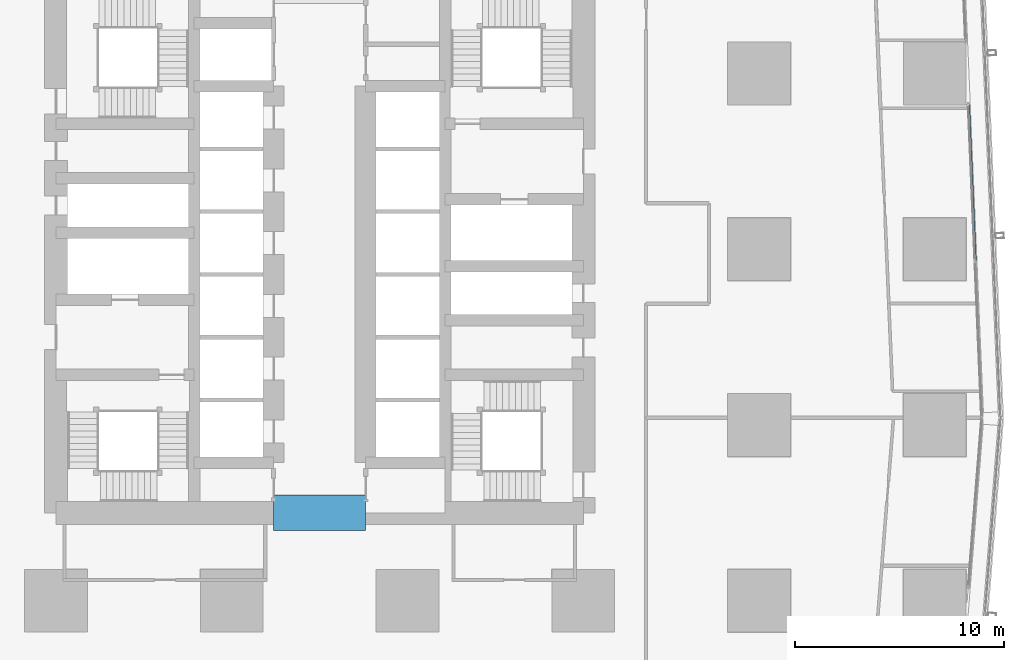
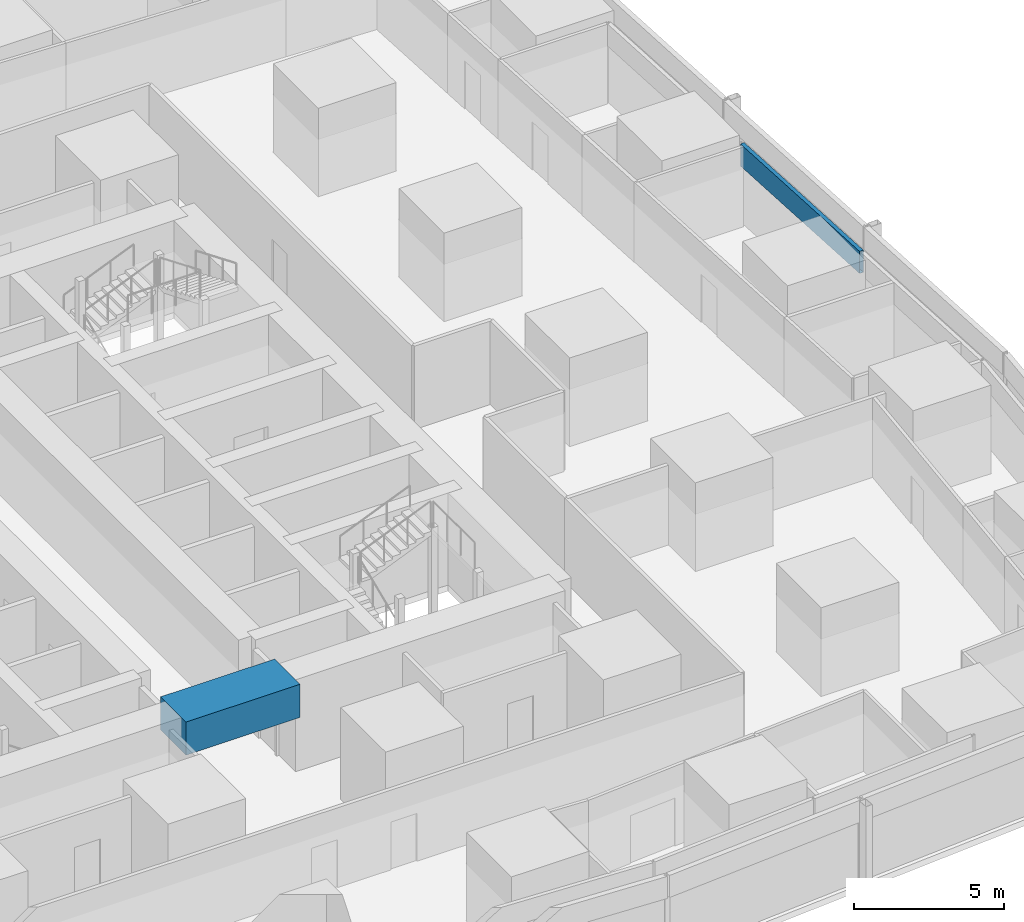
# One storey, part 13 of 44: 1 beam, 1 member, 1 element without a shape of its own.
"""IFC4 building model written with IfcOpenShell, lengths in metres."""

from ifc_helpers import new_model, si_unit, direction, frame, origin, origin_2d, place, context, subcontext, project, spatial, rectangle, hollow_rectangle, extrude, material, material_profile, profile_set, type_object, element, aggregate, save


model = new_model("IFC4")

# Units and contexts
model_context = context("Model", 3, precision=1e-05, world=origin(), true_north=direction((0.0, 1.0)))
body_context = subcontext(model_context, "Body", "Model", "MODEL_VIEW")
ifc_project = project(units=[si_unit("LENGTHUNIT", "METRE"), si_unit("AREAUNIT", "SQUARE_METRE"), si_unit("VOLUMEUNIT", "CUBIC_METRE"), si_unit("PLANEANGLEUNIT", "RADIAN"), si_unit("MASSUNIT", "GRAM", prefix="KILO")], contexts=[model_context])

# Site, building, storey
site_placement = place(None, origin())
site = spatial("IfcSite", under=ifc_project, at=site_placement, CompositionType="ELEMENT")
building_placement = place(site_placement, origin())
building = spatial("IfcBuilding", under=site, at=building_placement, Name="Rekha Terrace Tower", CompositionType="ELEMENT")
storey_placement = place(building_placement, frame((0.0, 0.0, 81.64990234375)))
storey = spatial("IfcBuildingStorey", under=building, at=storey_placement, Name="L20", CompositionType="ELEMENT", Elevation=81.64990234375)

# Curtain wall, member
ifc_material_1 = material(Name="Aluminium framing", Category="aluminium")
curtain_wall_type = type_object("IfcCurtainWallType", Name="CW1 double skin inner glazing", PredefinedType="USERDEFINED", material=ifc_material_1)
curtain_wall_placement = place(storey_placement, origin())
curtain_wall = element("IfcCurtainWall", 1, at=curtain_wall_placement, inside=storey, type_object=curtain_wall_type, Name="CW1 double skin inner glazing", ObjectType="DOUBLE SKIN INNER GLAZING", PredefinedType="USERDEFINED")
ifc_material_2 = material(Name="Insulated aluminium spandrel box", Category="aluminium")
ifc_material_profile_1 = material_profile(ifc_material_2, hollow_rectangle(XDim=0.14990234375, YDim=0.89990234375, WallThickness=0.0029296875, at=origin_2d()), Name="AL SPANDREL BOX 150x900")
ifc_profile_set_1 = profile_set([ifc_material_profile_1], Name="Insulated aluminium spandrel box")
member_type = type_object("IfcMemberType", Name="CW1 spandrel transom 150 x 900", PredefinedType="USERDEFINED", material=ifc_profile_set_1)
member_placement = place(storey_placement, frame((69.115478515625, 33.068359375, 2.9501953125), z_axis=(-0.042673914626, 0.999089053594, 0.0), x_axis=(-0.999089053594, -0.042673914626, 0.0)))
member = element("IfcMember", 2, at=member_placement, type_object=member_type, Name="CW1 spandrel transom 2", ObjectType="TRANSOM", PredefinedType="USERDEFINED", context=body_context, shape_type="SweptSolid", body=[
    extrude(hollow_rectangle(XDim=0.14990234375, YDim=0.89990234375, WallThickness=0.0029296875, at=origin_2d()), origin(), (0.0, 0.0, 1.0), 7.426025390625),
])
aggregate(curtain_wall, [member])

# Beam
ifc_material_3 = material(Name="Concrete M70", Category="concrete")
ifc_material_profile_2 = material_profile(ifc_material_3, rectangle(XDim=1.699951171875, YDim=1.35009765625, at=origin_2d()), Name="RC 1700x1350")
ifc_profile_set_2 = profile_set([ifc_material_profile_2], Name="Concrete M70")
beam_type = type_object("IfcBeamType", Name="LB1A 1700x1350 diagonally reinforced coupling beam", PredefinedType="LINTEL", material=ifc_profile_set_2)
beam_placement = place(storey_placement, frame((35.60009765625, 21.0, 3.0751953125), z_axis=(1.0, 0.0, 0.0), x_axis=(0.0, 1.0, 0.0)))
element("IfcBeam", 3, at=beam_placement, inside=storey, type_object=beam_type, Name="Coupling beam LB1A S L20", PredefinedType="LINTEL", context=body_context, shape_type="SweptSolid", body=[
    extrude(rectangle(XDim=1.699951171875, YDim=1.35009765625, at=origin_2d()), origin(), (0.0, 0.0, 1.0), 4.39990234375),
])

save(model, "model.ifc")
